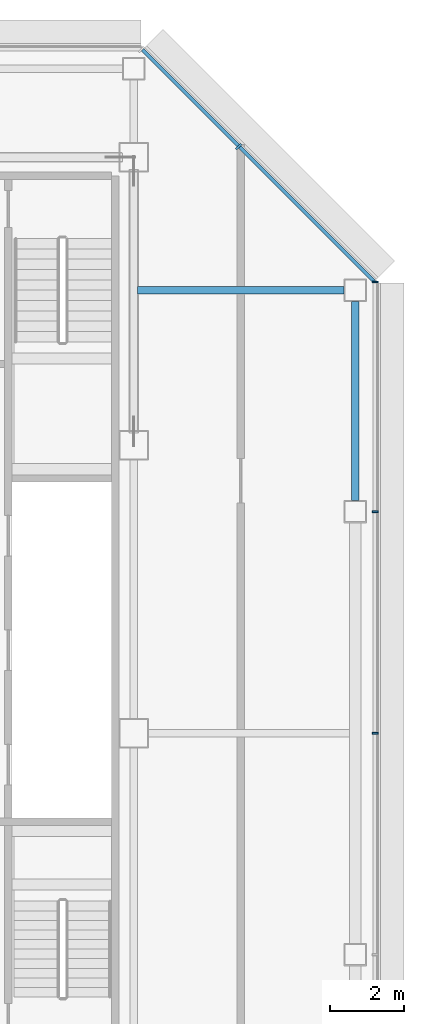
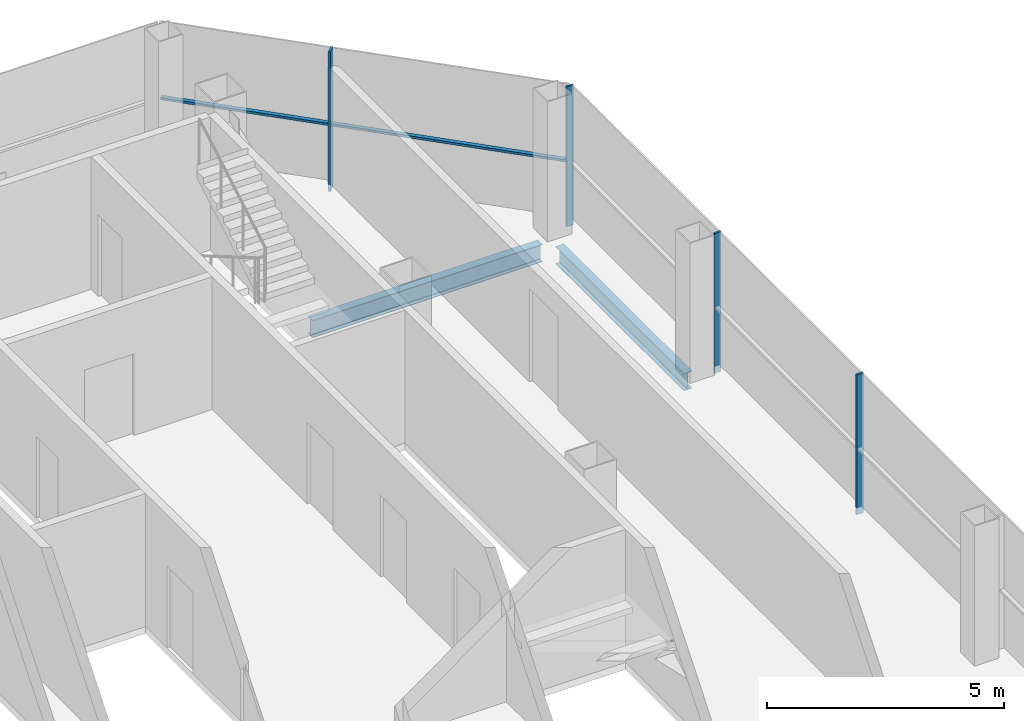
# One storey, part 18 of 27: 5 members, 2 beams, 2 elements without a shape of their own.
"""IFC4 building model written with IfcOpenShell, lengths in metres."""

from ifc_helpers import new_model, si_unit, direction, frame, origin, origin_2d, place, context, subcontext, project, spatial, rectangle, i_section, extrude, material, material_profile, profile_set, type_object, element, aggregate, save


model = new_model("IFC4")

# Units and contexts
model_context = context("Model", 3, precision=1e-05, world=origin(), true_north=direction((0.0, 1.0)))
body_context = subcontext(model_context, "Body", "Model", "MODEL_VIEW")
ifc_project = project(units=[si_unit("LENGTHUNIT", "METRE"), si_unit("AREAUNIT", "SQUARE_METRE"), si_unit("VOLUMEUNIT", "CUBIC_METRE"), si_unit("PLANEANGLEUNIT", "RADIAN"), si_unit("MASSUNIT", "GRAM", prefix="KILO")], contexts=[model_context])

# Site, building, storey
site_placement = place(None, origin())
site = spatial("IfcSite", under=ifc_project, at=site_placement, CompositionType="ELEMENT")
building_placement = place(site_placement, origin())
building = spatial("IfcBuilding", under=site, at=building_placement, Name="Sorahane Residences", CompositionType="ELEMENT")
storey_placement = place(building_placement, frame((0.0, 0.0, 294.39990234375)))
storey = spatial("IfcBuildingStorey", under=building, at=storey_placement, Name="L69", CompositionType="ELEMENT", Elevation=294.39990234375)

# Curtain wall, members
ifc_material_1 = material(Name="Dark low-e glass and black anodised aluminium", Category="aluminium")
curtain_wall_type_1 = type_object("IfcCurtainWallType", Name="Curtain wall CW-1 Typical unitised wall", PredefinedType="NOTDEFINED", material=ifc_material_1)
curtain_wall_1_placement = place(storey_placement, origin())
curtain_wall_1 = element("IfcCurtainWall", 1, at=curtain_wall_1_placement, inside=storey, type_object=curtain_wall_type_1, Name="CW-1 curtain wall L69 E1", PredefinedType="NOTDEFINED")
ifc_material_2 = material(Name="Black anodised aluminium", Category="aluminium")
ifc_material_profile_1 = material_profile(ifc_material_2, rectangle(XDim=0.159912109375, YDim=0.050048828125, at=origin_2d()), Name="Curtain wall mullion CW-1 black anodised aluminium 50x160")
ifc_profile_set_1 = profile_set([ifc_material_profile_1], Name="Black anodised aluminium")
member_type_1 = type_object("IfcMemberType", Name="Curtain wall mullion CW-1 black anodised aluminium 50x160", PredefinedType="MULLION", material=ifc_profile_set_1)
member_1_placement = place(storey_placement, frame((48.5400390625, 30.0, -0.179931640625), z_axis=(0.0, 0.0, 1.0), x_axis=(1.0, 0.0, 0.0)))
member_1 = element("IfcMember", 2, at=member_1_placement, type_object=member_type_1, Name="CW-1 mullion L69 E1.5", PredefinedType="MULLION", context=body_context, shape_type="SweptSolid", body=[
    extrude(rectangle(XDim=0.159912109375, YDim=0.050048828125, at=origin_2d()), origin(), (0.0, 0.0, 1.0), 3.60009765625),
])
member_2_placement = place(storey_placement, frame((48.5400390625, 36.0, -0.179931640625), z_axis=(0.0, 0.0, 1.0), x_axis=(1.0, 0.0, 0.0)))
member_2 = element("IfcMember", 3, at=member_2_placement, type_object=member_type_1, Name="CW-1 mullion L69 E1.6", PredefinedType="MULLION", context=body_context, shape_type="SweptSolid", body=[
    extrude(rectangle(XDim=0.159912109375, YDim=0.050048828125, at=origin_2d()), origin(), (0.0, 0.0, 1.0), 3.60009765625),
])
member_3_placement = place(storey_placement, frame((48.5400390625, 42.2236328125, -0.179931640625), z_axis=(0.0, 0.0, 1.0), x_axis=(1.0, 0.0, 0.0)))
member_3 = element("IfcMember", 4, at=member_3_placement, type_object=member_type_1, Name="CW-1 mullion L69 E1.7", PredefinedType="MULLION", context=body_context, shape_type="SweptSolid", body=[
    extrude(rectangle(XDim=0.159912109375, YDim=0.050048828125, at=origin_2d()), origin(), (0.0, 0.0, 1.0), 3.60009765625),
])
aggregate(curtain_wall_1, [member_1, member_2, member_3])

ifc_material_3 = material(Name="Dark low-e glass and black anodised aluminium", Category="aluminium")
curtain_wall_type_2 = type_object("IfcCurtainWallType", Name="Curtain wall CW-2 Chamfer unitised wall", PredefinedType="NOTDEFINED", material=ifc_material_3)
curtain_wall_2_placement = place(storey_placement, origin())
curtain_wall_2 = element("IfcCurtainWall", 5, at=curtain_wall_2_placement, inside=storey, type_object=curtain_wall_type_2, Name="CW-2 curtain wall L69 NE1", PredefinedType="NOTDEFINED")
ifc_material_4 = material(Name="Black anodised aluminium", Category="aluminium")
ifc_material_profile_2 = material_profile(ifc_material_4, rectangle(XDim=0.199951171875, YDim=0.050048828125, at=origin_2d()), Name="Curtain wall mullion CW-2 black anodised aluminium 50x200")
ifc_profile_set_2 = profile_set([ifc_material_profile_2], Name="Black anodised aluminium")
member_type_2 = type_object("IfcMemberType", Name="Curtain wall mullion CW-2 black anodised aluminium 50x200", PredefinedType="MULLION", material=ifc_profile_set_2)
member_4_placement = place(storey_placement, frame((44.84326171875, 45.89208984375, -0.179931640625), z_axis=(0.0, 0.0, 1.0), x_axis=(0.707106781187, 0.707106781187, 0.0)))
member_4 = element("IfcMember", 6, at=member_4_placement, type_object=member_type_2, Name="CW-2 mullion L69 NE1.2", PredefinedType="MULLION", context=body_context, shape_type="SweptSolid", body=[
    extrude(rectangle(XDim=0.199951171875, YDim=0.050048828125, at=origin_2d()), origin(), (0.0, 0.0, 1.0), 3.60009765625),
])
ifc_material_5 = material(Name="Black anodised aluminium", Category="aluminium")
ifc_material_profile_3 = material_profile(ifc_material_5, rectangle(XDim=0.10009765625, YDim=0.06005859375, at=origin_2d()), Name="Curtain wall transom CW-2 black anodised aluminium 60x100")
ifc_profile_set_3 = profile_set([ifc_material_profile_3], Name="Black anodised aluminium")
member_type_3 = type_object("IfcMemberType", Name="Curtain wall transom CW-2 black anodised aluminium 60x100", PredefinedType="USERDEFINED", material=ifc_profile_set_3)
member_5_placement = place(storey_placement, frame((48.51513671875, 42.234375, 1.5), z_axis=(-0.707106781187, 0.707106781187, 0.0), x_axis=(-0.707106781187, -0.707106781187, 0.0)))
member_5 = element("IfcMember", 7, at=member_5_placement, type_object=member_type_3, Name="CW-2 transom L69 NE1", ObjectType="TRANSOM", PredefinedType="USERDEFINED", context=body_context, shape_type="SweptSolid", body=[
    extrude(rectangle(XDim=0.10009765625, YDim=0.06005859375, at=origin_2d()), origin(), (0.0, 0.0, 1.0), 8.88232421875),
])
aggregate(curtain_wall_2, [member_4, member_5])

# Beams
ifc_material_6 = material(Name="Steel Q355B", Category="steel")
ifc_material_profile_4 = material_profile(ifc_material_6, i_section(OverallWidth=0.199951171875, OverallDepth=0.449951171875, WebThickness=0.009033203125, FlangeThickness=0.013916015625, FilletRadius=0.02001953125, at=origin_2d()), Name="HN 450x200x9x14")
ifc_profile_set_4 = profile_set([ifc_material_profile_4], Name="Steel Q355B")
beam_type = type_object("IfcBeamType", Name="Steel floor beam HN 450x200x9x14 Q355B", PredefinedType="BEAM", material=ifc_profile_set_4)
beam_1_placement = place(storey_placement, frame((48.0, 36.300048828125, -0.40478515625), z_axis=(0.0, 1.0, 0.0), x_axis=(-1.0, 0.0, 0.0)))
element("IfcBeam", 8, at=beam_1_placement, inside=storey, type_object=beam_type, Name="Beam L69 065", PredefinedType="BEAM", context=body_context, shape_type="SweptSolid", body=[
    extrude(i_section(OverallWidth=0.199951171875, OverallDepth=0.449951171875, WebThickness=0.009033203125, FlangeThickness=0.013916015625, FilletRadius=0.02001953125, at=origin_2d()), origin(), (0.0, 0.0, 1.0), 5.39990234375),
])
beam_2_placement = place(storey_placement, frame((42.10009765625, 42.0, -0.40478515625), z_axis=(1.0, 0.0, 0.0), x_axis=(0.0, 1.0, 0.0)))
element("IfcBeam", 9, at=beam_2_placement, inside=storey, type_object=beam_type, Name="Beam L69 090", PredefinedType="BEAM", context=body_context, shape_type="SweptSolid", body=[
    extrude(i_section(OverallWidth=0.199951171875, OverallDepth=0.449951171875, WebThickness=0.009033203125, FlangeThickness=0.013916015625, FilletRadius=0.02001953125, at=origin_2d()), origin(), (0.0, 0.0, 1.0), 5.599853515625),
])

save(model, "model.ifc")
